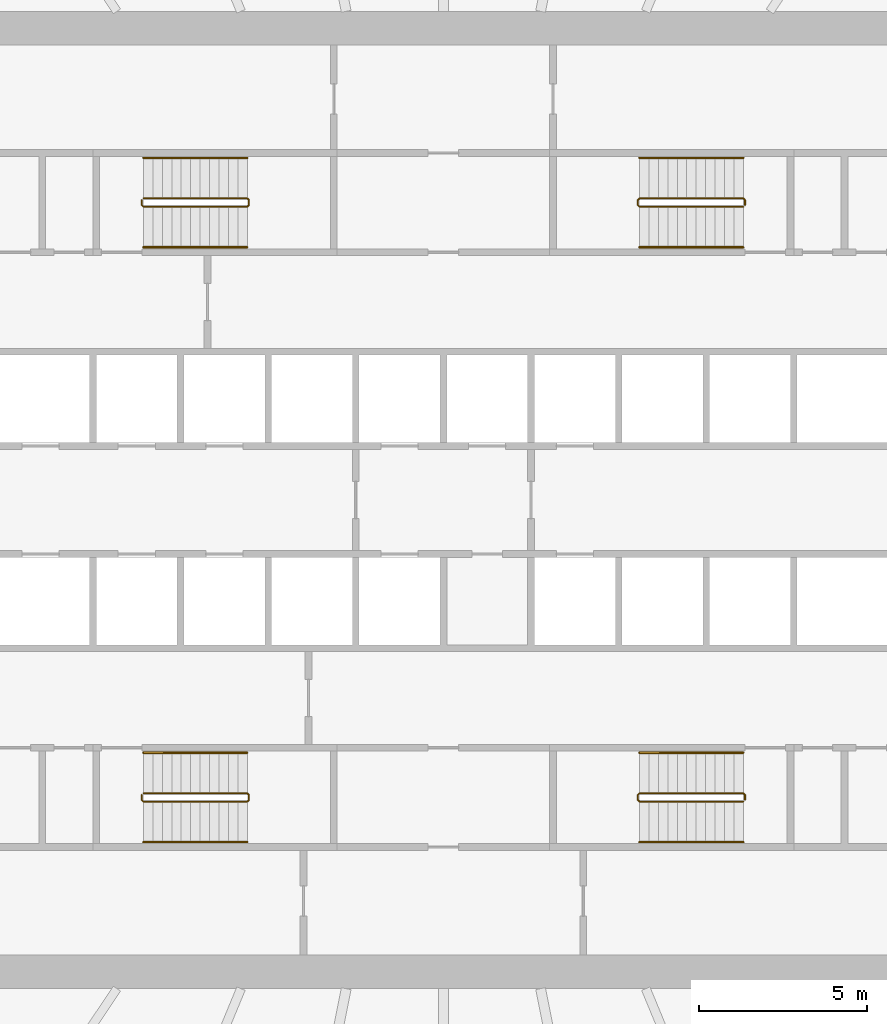
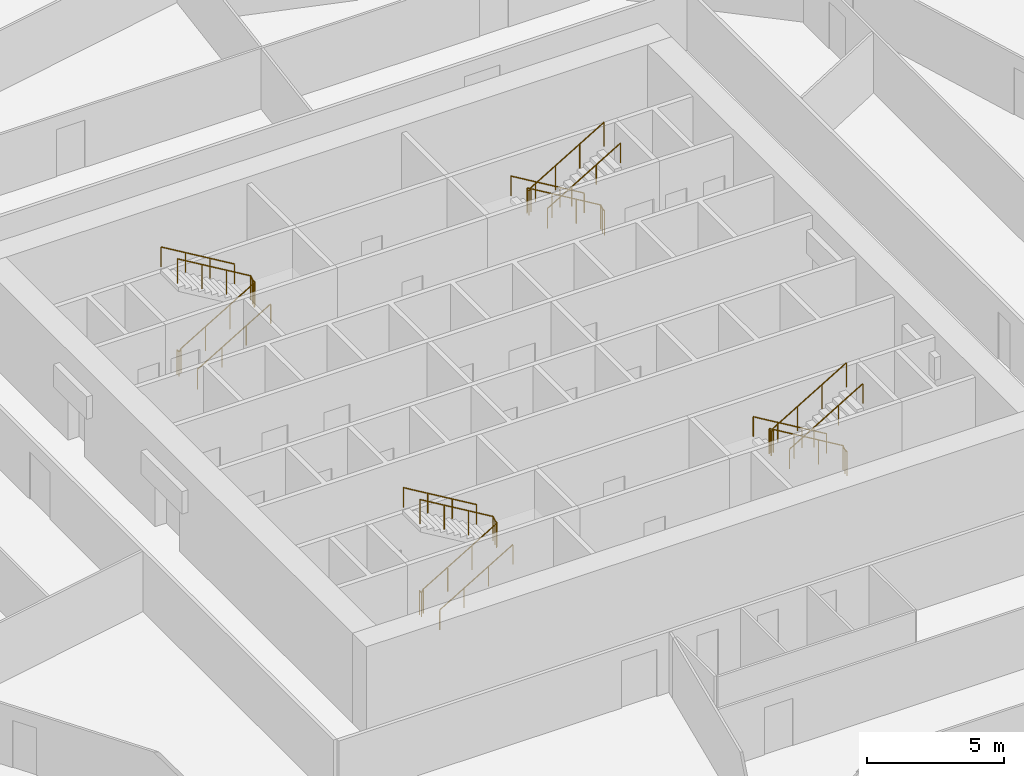
# One storey, part 8 of 8: 12 railings.
"""IFC4 building model written with IfcOpenShell, lengths in metres."""

import ifcopenshell
import ifcopenshell.guid

model = None  # the IFC model being written
_history = None  # IfcOwnerHistory: only IFC2X3 demands one
_inside = {}  # id of a spatial element -> (the spatial element, [elements in it])
_under = {}  # id of a project, library or spatial element -> (it, [spatial elements below it])
_declared = {}  # id of a project -> (the project, [libraries it declares])
_typed = {}  # id of a type object -> (the type object, [elements of that type])
_made_of = {}  # id of a material, layer set ... -> (it, [elements and type objects made of it])


def new_model(schema):
    """Start an empty IFC model of exactly this schema.

    Asked for "IFC4X3", IfcOpenShell would pick the latest addendum, in which some entities
    have other attributes; the version numbers below select the first issue.
    IFC2X3 requires an IfcOwnerHistory on every rooted entity: one is made here for all.
    """
    global model, _history
    if schema == "IFC4X3":
        model = ifcopenshell.file(schema_version=(4, 3, 0, 0))
    else:
        model = ifcopenshell.file(schema=schema)
    _inside.clear()
    _under.clear()
    _declared.clear()
    _typed.clear()
    _made_of.clear()
    _history = None
    if model.schema == "IFC2X3":
        org = make("IfcOrganization", Name="unknown")
        user = make(
            "IfcPersonAndOrganization",
            ThePerson=make("IfcPerson", FamilyName="unknown"),
            TheOrganization=org,
        )
        app = make(
            "IfcApplication",
            ApplicationDeveloper=org,
            Version="unknown",
            ApplicationFullName="unknown",
            ApplicationIdentifier="unknown",
        )
        _history = make(
            "IfcOwnerHistory",
            OwningUser=user,
            OwningApplication=app,
            ChangeAction="ADDED",
            CreationDate=0,
        )
    return model


def make(cls, **values):
    """One entity of the class cls with the attributes given. An attribute that is None is left unset."""
    return model.create_entity(
        cls, **{name: value for name, value in values.items() if value is not None}
    )


def rooted(cls, **values):
    """An entity with a GlobalId (a new one), such as an element, a storey or a relation."""
    return make(cls, GlobalId=ifcopenshell.guid.new(), OwnerHistory=_history, **values)


def si_unit(unit_type, name, prefix=None):
    """IfcSIUnit, for example si_unit("LENGTHUNIT", "METRE", prefix="MILLI")."""
    return make("IfcSIUnit", UnitType=unit_type, Prefix=prefix, Name=name)


def assignment(units):
    """IfcUnitAssignment: the units of a project."""
    return None if units is None else make("IfcUnitAssignment", Units=units)


def point(xyz):
    """IfcCartesianPoint."""
    return None if xyz is None else make("IfcCartesianPoint", Coordinates=xyz)


def direction(xyz):
    """IfcDirection."""
    return None if xyz is None else make("IfcDirection", DirectionRatios=xyz)


def frame(location, z_axis=None, x_axis=None):
    """IfcAxis2Placement3D, a coordinate frame: its origin and axes. An axis left out is left unset."""
    return make(
        "IfcAxis2Placement3D",
        Location=point(location),
        Axis=direction(z_axis),
        RefDirection=direction(x_axis),
    )


def frame_2d(location, x_axis=None):
    """IfcAxis2Placement2D, a coordinate frame in the plane: its origin and x axis."""
    return make(
        "IfcAxis2Placement2D", Location=point(location), RefDirection=direction(x_axis)
    )


def origin():
    """The frame at (0, 0, 0) with its axes left unset."""
    return frame((0.0, 0.0, 0.0))


def origin_2d():
    """The frame at (0, 0) in the plane with its x axis left unset."""
    return frame_2d((0.0, 0.0))


def place(relative_to, where):
    """IfcLocalPlacement: puts the frame where relative to a parent placement (None: the world)."""
    return make(
        "IfcLocalPlacement", PlacementRelTo=relative_to, RelativePlacement=where
    )


def context(
    kind, dimensions, precision=None, world=None, true_north=None, identifier=None
):
    """IfcGeometricRepresentationContext, for example the 3D "Model" context."""
    return make(
        "IfcGeometricRepresentationContext",
        ContextIdentifier=identifier,
        ContextType=kind,
        CoordinateSpaceDimension=dimensions,
        Precision=precision,
        WorldCoordinateSystem=world,
        TrueNorth=true_north,
    )


def subcontext(parent, identifier, kind, view, scale=None):
    """IfcGeometricRepresentationSubContext, for example "Body" below "Model"."""
    return make(
        "IfcGeometricRepresentationSubContext",
        ContextIdentifier=identifier,
        ContextType=kind,
        ParentContext=parent,
        TargetScale=scale,
        TargetView=view,
    )


def project(units=None, contexts=None):
    """IfcProject with its units and contexts."""
    return rooted(
        "IfcProject",
        Name="project",
        RepresentationContexts=contexts,
        UnitsInContext=assignment(units),
    )


def spatial(cls, under=None, at=None, **own):
    """A site, building, storey or space (cls), placed at a placement, below another one or the project."""
    s = rooted(cls, ObjectPlacement=at, **own)
    if under is not None:
        _under.setdefault(under.id(), (under, []))[1].append(s)
    return s


def profile(cls, at=None, kind="AREA", **sizes):
    """A parametric profile (cls). Its sizes go by their IFC names, for example OverallWidth=200.0."""
    return make(cls, ProfileType=kind, Position=at, **sizes)


def circle(**sizes):
    """IfcCircleProfileDef."""
    return profile("IfcCircleProfileDef", **sizes)


def extrude(swept, where, along, depth):
    """IfcExtrudedAreaSolid: the profile swept, set in the frame where, extruded along a direction by depth."""
    return make(
        "IfcExtrudedAreaSolid",
        SweptArea=swept,
        Position=where,
        ExtrudedDirection=direction(along),
        Depth=depth,
    )


def shape(context_of_items, identifier, shape_type, items):
    """IfcShapeRepresentation: the items that make up one representation, for example the "Body"."""
    return make(
        "IfcShapeRepresentation",
        ContextOfItems=context_of_items,
        RepresentationIdentifier=identifier,
        RepresentationType=shape_type,
        Items=items,
    )


def material(Name=None, Category=None):
    """IfcMaterial."""
    return make("IfcMaterial", Name=Name, Category=Category)


def made_of(thing, what):
    """Note that an element or type object is made of a material, layer set ...; save() writes the relation."""
    if what is not None:
        _made_of.setdefault(what.id(), (what, []))[1].append(thing)
    return thing


def type_object(cls, material=None, **own):
    """A type object (cls), such as IfcWallType, which elements share."""
    return made_of(rooted(cls, **own), material)


def element(
    cls,
    number,
    at=None,
    inside=None,
    cuts=None,
    type_object=None,
    material=None,
    context=None,
    identifier="Body",
    shape_type=None,
    held_by="IfcProductDefinitionShape",
    body=None,
    shapes=None,
    **own,
):
    """One element of the class cls, such as IfcWall. Its Tag is "e" and its number.

    at: its placement. inside: the storey or other place that contains it. cuts: it is an
    opening in that element (IfcRelVoidsElement). A single representation is given by context,
    identifier, shape_type and body (its items); several are given by shapes. held_by: the class
    of the entity that holds the representations. save() writes the other relations.
    """
    e = rooted(cls, Tag="e%d" % number, ObjectPlacement=at, **own)
    if body is not None:
        shapes = [shape(context, identifier, shape_type, body)]
    if shapes is not None:
        e.Representation = make(held_by, Representations=shapes)
    if inside is not None:
        _inside.setdefault(inside.id(), (inside, []))[1].append(e)
    if cuts is not None:
        rooted(
            "IfcRelVoidsElement", RelatingBuildingElement=cuts, RelatedOpeningElement=e
        )
    if type_object is not None:
        _typed.setdefault(type_object.id(), (type_object, []))[1].append(e)
    return made_of(e, material)


def aggregate(whole, parts):
    """IfcRelAggregates: a whole, such as a stair, and the parts it consists of."""
    return rooted("IfcRelAggregates", RelatingObject=whole, RelatedObjects=parts)


def save(model, path):
    """Write the relations noted so far, then the file.

    IfcRelAggregates (storeys below a building ...), IfcRelContainedInSpatialStructure (elements
    in a storey), IfcRelDefinesByType, IfcRelAssociatesMaterial and IfcRelDeclares: one each for
    every whole, place, type object, material and project.
    """
    for whole, parts in _under.values():
        aggregate(whole, parts)
    for where, things in _inside.values():
        rooted(
            "IfcRelContainedInSpatialStructure",
            RelatedElements=things,
            RelatingStructure=where,
        )
    for kind, things in _typed.values():
        rooted("IfcRelDefinesByType", RelatedObjects=things, RelatingType=kind)
    for what, things in _made_of.values():
        rooted("IfcRelAssociatesMaterial", RelatedObjects=things, RelatingMaterial=what)
    for by, libraries in _declared.values():
        rooted("IfcRelDeclares", RelatingContext=by, RelatedDefinitions=libraries)
    model.write(path)


model = new_model("IFC4")

# Units and contexts
model_context = context("Model", 3, precision=1e-05, world=origin(), true_north=direction((0.0, 1.0)))
body_context = subcontext(model_context, "Body", "Model", "MODEL_VIEW")
ifc_project = project(units=[si_unit("LENGTHUNIT", "METRE"), si_unit("AREAUNIT", "SQUARE_METRE"), si_unit("VOLUMEUNIT", "CUBIC_METRE"), si_unit("PLANEANGLEUNIT", "RADIAN"), si_unit("MASSUNIT", "GRAM", prefix="KILO")], contexts=[model_context])

# Site, building, storey
site_placement = place(None, origin())
site = spatial("IfcSite", under=ifc_project, at=site_placement, CompositionType="ELEMENT")
building_placement = place(site_placement, origin())
building = spatial("IfcBuilding", under=site, at=building_placement, Name="Corvane Civic Tower", CompositionType="ELEMENT")
storey_placement = place(building_placement, frame((0.0, 0.0, 126.5)))
storey = spatial("IfcBuildingStorey", under=building, at=storey_placement, Name="L29", CompositionType="ELEMENT", Elevation=126.5)

# Railings
ifc_material_1 = material(Name="Steel ASTM A572 Gr 50", Category="steel")
railing_type_1 = type_object("IfcRailingType", Name="ST-GUARD-1100", PredefinedType="GUARDRAIL", material=ifc_material_1)
railing_1_placement = place(storey_placement, frame((8.949951171875, 8.75, 0.0)))
element("IfcRailing", 1, at=railing_1_placement, inside=storey, type_object=railing_type_1, Name="L29 ST1 stair guard 1", PredefinedType="GUARDRAIL", context=body_context, shape_type="SweptSolid", body=[
    extrude(circle(Radius=0.02392578125, at=origin_2d()), frame((0.0, 0.0, 1.076171875), z_axis=(0.0, 1.0, 0.0), x_axis=(-1.0, 0.0, 0.0)), (0.0, 0.0, 1.0), 0.14990234375),
    extrude(circle(Radius=0.02392578125, at=origin_2d()), frame((0.0, 0.14990234375, 1.076171875), z_axis=(-0.27628659633, 0.27628659633, 0.920506074601), x_axis=(-0.707106781187, -0.707106781187, 0.0)), (0.0, 0.0, 1.0), 0.18115234375),
    extrude(circle(Radius=0.02392578125, at=origin_2d()), frame((-0.050048828125, 0.199951171875, 1.24267578125), z_axis=(-0.859290745958, 0.0, 0.51148745235), x_axis=(0.0, -1.0, 0.0)), (0.0, 0.0, 1.0), 3.584228515625),
    extrude(circle(Radius=0.02392578125, at=origin_2d()), frame((-3.1298828125, 0.199951171875, 3.076171875), z_axis=(-0.707106781187, -0.707106781187, 0.0), x_axis=(0.707106781187, -0.707106781187, 0.0)), (0.0, 0.0, 1.0), 0.07080078125),
    extrude(circle(Radius=0.02392578125, at=origin_2d()), frame((-3.179931640625, 0.14990234375, 3.076171875), z_axis=(0.0, -1.0, 0.0), x_axis=(1.0, 0.0, 0.0)), (0.0, 0.0, 1.0), 0.14990234375),
    extrude(circle(Radius=0.02392578125, at=origin_2d()), frame((-3.179931640625, 0.0, 3.076171875), z_axis=(0.27628659633, -0.27628659633, 0.920506074601), x_axis=(0.707106781187, 0.707106781187, 0.0)), (0.0, 0.0, 1.0), 0.18115234375),
    extrude(circle(Radius=0.02392578125, at=origin_2d()), frame((-3.1298828125, -0.050048828125, 3.24267578125), z_axis=(0.859290745958, 0.0, 0.51148745235), x_axis=(0.0, 1.0, 0.0)), (0.0, 0.0, 1.0), 3.584228515625),
    extrude(circle(Radius=0.02099609375, at=origin_2d()), origin(), (0.0, 0.0, 1.0), 1.052001953125),
    extrude(circle(Radius=0.02099609375, at=origin_2d()), frame((0.0, 0.14990234375, 0.0)), (0.0, 0.0, 1.0), 1.052001953125),
    extrude(circle(Radius=0.02099609375, at=origin_2d()), frame((-0.050048828125, 0.199951171875, 0.166748046875)), (0.0, 0.0, 1.0), 1.052001953125),
    extrude(circle(Radius=0.02099609375, at=origin_2d()), frame((-1.07666015625, 0.199951171875, 0.77783203125)), (0.0, 0.0, 1.0), 1.052001953125),
    extrude(circle(Radius=0.02099609375, at=origin_2d()), frame((-2.103271484375, 0.199951171875, 1.388916015625)), (0.0, 0.0, 1.0), 1.052001953125),
    extrude(circle(Radius=0.02099609375, at=origin_2d()), frame((-3.1298828125, 0.199951171875, 2.0)), (0.0, 0.0, 1.0), 1.052001953125),
    extrude(circle(Radius=0.02099609375, at=origin_2d()), frame((-3.179931640625, 0.14990234375, 2.0)), (0.0, 0.0, 1.0), 1.052001953125),
    extrude(circle(Radius=0.02099609375, at=origin_2d()), frame((-3.179931640625, 0.0, 2.0)), (0.0, 0.0, 1.0), 1.052001953125),
    extrude(circle(Radius=0.02099609375, at=origin_2d()), frame((-3.1298828125, -0.050048828125, 2.166748046875)), (0.0, 0.0, 1.0), 1.052001953125),
    extrude(circle(Radius=0.02099609375, at=origin_2d()), frame((-2.103271484375, -0.050048828125, 2.77783203125)), (0.0, 0.0, 1.0), 1.052001953125),
    extrude(circle(Radius=0.02099609375, at=origin_2d()), frame((-1.07666015625, -0.050048828125, 3.388916015625)), (0.0, 0.0, 1.0), 1.052001953125),
    extrude(circle(Radius=0.02099609375, at=origin_2d()), frame((-0.050048828125, -0.050048828125, 4.0)), (0.0, 0.0, 1.0), 1.052001953125),
])
railing_2_placement = place(storey_placement, frame((8.949951171875, -8.89990234375, 0.0)))
element("IfcRailing", 2, at=railing_2_placement, inside=storey, type_object=railing_type_1, Name="L29 ST2 stair guard 1", PredefinedType="GUARDRAIL", context=body_context, shape_type="SweptSolid", body=[
    extrude(circle(Radius=0.02392578125, at=origin_2d()), frame((0.0, 0.0, 1.076171875), z_axis=(0.0, 1.0, 0.0), x_axis=(-1.0, 0.0, 0.0)), (0.0, 0.0, 1.0), 0.14990234375),
    extrude(circle(Radius=0.02392578125, at=origin_2d()), frame((0.0, 0.14990234375, 1.076171875), z_axis=(-0.27628659633, 0.27628659633, 0.920506074601), x_axis=(-0.707106781187, -0.707106781187, 0.0)), (0.0, 0.0, 1.0), 0.18115234375),
    extrude(circle(Radius=0.02392578125, at=origin_2d()), frame((-0.050048828125, 0.199951171875, 1.24267578125), z_axis=(-0.859290745958, 0.0, 0.51148745235), x_axis=(0.0, -1.0, 0.0)), (0.0, 0.0, 1.0), 3.584228515625),
    extrude(circle(Radius=0.02392578125, at=origin_2d()), frame((-3.1298828125, 0.199951171875, 3.076171875), z_axis=(-0.707106781187, -0.707106781187, 0.0), x_axis=(0.707106781187, -0.707106781187, 0.0)), (0.0, 0.0, 1.0), 0.07080078125),
    extrude(circle(Radius=0.02392578125, at=origin_2d()), frame((-3.179931640625, 0.14990234375, 3.076171875), z_axis=(0.0, -1.0, 0.0), x_axis=(1.0, 0.0, 0.0)), (0.0, 0.0, 1.0), 0.14990234375),
    extrude(circle(Radius=0.02392578125, at=origin_2d()), frame((-3.179931640625, 0.0, 3.076171875), z_axis=(0.27628659633, -0.27628659633, 0.920506074601), x_axis=(0.707106781187, 0.707106781187, 0.0)), (0.0, 0.0, 1.0), 0.18115234375),
    extrude(circle(Radius=0.02392578125, at=origin_2d()), frame((-3.1298828125, -0.050048828125, 3.24267578125), z_axis=(0.859290745958, 0.0, 0.51148745235), x_axis=(0.0, 1.0, 0.0)), (0.0, 0.0, 1.0), 3.584228515625),
    extrude(circle(Radius=0.02099609375, at=origin_2d()), origin(), (0.0, 0.0, 1.0), 1.052001953125),
    extrude(circle(Radius=0.02099609375, at=origin_2d()), frame((0.0, 0.14990234375, 0.0)), (0.0, 0.0, 1.0), 1.052001953125),
    extrude(circle(Radius=0.02099609375, at=origin_2d()), frame((-0.050048828125, 0.199951171875, 0.166748046875)), (0.0, 0.0, 1.0), 1.052001953125),
    extrude(circle(Radius=0.02099609375, at=origin_2d()), frame((-1.07666015625, 0.199951171875, 0.77783203125)), (0.0, 0.0, 1.0), 1.052001953125),
    extrude(circle(Radius=0.02099609375, at=origin_2d()), frame((-2.103271484375, 0.199951171875, 1.388916015625)), (0.0, 0.0, 1.0), 1.052001953125),
    extrude(circle(Radius=0.02099609375, at=origin_2d()), frame((-3.1298828125, 0.199951171875, 2.0)), (0.0, 0.0, 1.0), 1.052001953125),
    extrude(circle(Radius=0.02099609375, at=origin_2d()), frame((-3.179931640625, 0.14990234375, 2.0)), (0.0, 0.0, 1.0), 1.052001953125),
    extrude(circle(Radius=0.02099609375, at=origin_2d()), frame((-3.179931640625, 0.0, 2.0)), (0.0, 0.0, 1.0), 1.052001953125),
    extrude(circle(Radius=0.02099609375, at=origin_2d()), frame((-3.1298828125, -0.050048828125, 2.166748046875)), (0.0, 0.0, 1.0), 1.052001953125),
    extrude(circle(Radius=0.02099609375, at=origin_2d()), frame((-2.103271484375, -0.050048828125, 2.77783203125)), (0.0, 0.0, 1.0), 1.052001953125),
    extrude(circle(Radius=0.02099609375, at=origin_2d()), frame((-1.07666015625, -0.050048828125, 3.388916015625)), (0.0, 0.0, 1.0), 1.052001953125),
    extrude(circle(Radius=0.02099609375, at=origin_2d()), frame((-0.050048828125, -0.050048828125, 4.0)), (0.0, 0.0, 1.0), 1.052001953125),
])
railing_3_placement = place(storey_placement, frame((-8.949951171875, -8.75, 0.0)))
element("IfcRailing", 3, at=railing_3_placement, inside=storey, type_object=railing_type_1, Name="L29 ST3 stair guard 1", PredefinedType="GUARDRAIL", context=body_context, shape_type="SweptSolid", body=[
    extrude(circle(Radius=0.02392578125, at=origin_2d()), frame((0.0, 0.0, 1.076171875), z_axis=(0.0, -1.0, 0.0), x_axis=(1.0, 0.0, 0.0)), (0.0, 0.0, 1.0), 0.14990234375),
    extrude(circle(Radius=0.02392578125, at=origin_2d()), frame((0.0, -0.14990234375, 1.076171875), z_axis=(0.27628659633, -0.27628659633, 0.920506074601), x_axis=(0.707106781187, 0.707106781187, 0.0)), (0.0, 0.0, 1.0), 0.18115234375),
    extrude(circle(Radius=0.02392578125, at=origin_2d()), frame((0.050048828125, -0.199951171875, 1.24267578125), z_axis=(0.859290745958, 0.0, 0.51148745235), x_axis=(0.0, 1.0, 0.0)), (0.0, 0.0, 1.0), 3.584228515625),
    extrude(circle(Radius=0.02392578125, at=origin_2d()), frame((3.1298828125, -0.199951171875, 3.076171875), z_axis=(0.707106781187, 0.707106781187, 0.0), x_axis=(-0.707106781187, 0.707106781187, 0.0)), (0.0, 0.0, 1.0), 0.07080078125),
    extrude(circle(Radius=0.02392578125, at=origin_2d()), frame((3.179931640625, -0.14990234375, 3.076171875), z_axis=(0.0, 1.0, 0.0), x_axis=(-1.0, 0.0, 0.0)), (0.0, 0.0, 1.0), 0.14990234375),
    extrude(circle(Radius=0.02392578125, at=origin_2d()), frame((3.179931640625, 0.0, 3.076171875), z_axis=(-0.27628659633, 0.27628659633, 0.920506074601), x_axis=(-0.707106781187, -0.707106781187, 0.0)), (0.0, 0.0, 1.0), 0.18115234375),
    extrude(circle(Radius=0.02392578125, at=origin_2d()), frame((3.1298828125, 0.050048828125, 3.24267578125), z_axis=(-0.859290745958, 0.0, 0.51148745235), x_axis=(0.0, -1.0, 0.0)), (0.0, 0.0, 1.0), 3.584228515625),
    extrude(circle(Radius=0.02099609375, at=origin_2d()), origin(), (0.0, 0.0, 1.0), 1.052001953125),
    extrude(circle(Radius=0.02099609375, at=origin_2d()), frame((0.0, -0.14990234375, 0.0)), (0.0, 0.0, 1.0), 1.052001953125),
    extrude(circle(Radius=0.02099609375, at=origin_2d()), frame((0.050048828125, -0.199951171875, 0.166748046875)), (0.0, 0.0, 1.0), 1.052001953125),
    extrude(circle(Radius=0.02099609375, at=origin_2d()), frame((1.07666015625, -0.199951171875, 0.77783203125)), (0.0, 0.0, 1.0), 1.052001953125),
    extrude(circle(Radius=0.02099609375, at=origin_2d()), frame((2.103271484375, -0.199951171875, 1.388916015625)), (0.0, 0.0, 1.0), 1.052001953125),
    extrude(circle(Radius=0.02099609375, at=origin_2d()), frame((3.1298828125, -0.199951171875, 2.0)), (0.0, 0.0, 1.0), 1.052001953125),
    extrude(circle(Radius=0.02099609375, at=origin_2d()), frame((3.179931640625, -0.14990234375, 2.0)), (0.0, 0.0, 1.0), 1.052001953125),
    extrude(circle(Radius=0.02099609375, at=origin_2d()), frame((3.179931640625, 0.0, 2.0)), (0.0, 0.0, 1.0), 1.052001953125),
    extrude(circle(Radius=0.02099609375, at=origin_2d()), frame((3.1298828125, 0.050048828125, 2.166748046875)), (0.0, 0.0, 1.0), 1.052001953125),
    extrude(circle(Radius=0.02099609375, at=origin_2d()), frame((2.103271484375, 0.050048828125, 2.77783203125)), (0.0, 0.0, 1.0), 1.052001953125),
    extrude(circle(Radius=0.02099609375, at=origin_2d()), frame((1.07666015625, 0.050048828125, 3.388916015625)), (0.0, 0.0, 1.0), 1.052001953125),
    extrude(circle(Radius=0.02099609375, at=origin_2d()), frame((0.050048828125, 0.050048828125, 4.0)), (0.0, 0.0, 1.0), 1.052001953125),
])
railing_4_placement = place(storey_placement, frame((-8.949951171875, 8.89990234375, 0.0)))
element("IfcRailing", 4, at=railing_4_placement, inside=storey, type_object=railing_type_1, Name="L29 ST4 stair guard 1", PredefinedType="GUARDRAIL", context=body_context, shape_type="SweptSolid", body=[
    extrude(circle(Radius=0.02392578125, at=origin_2d()), frame((0.0, 0.0, 1.076171875), z_axis=(0.0, -1.0, 0.0), x_axis=(1.0, 0.0, 0.0)), (0.0, 0.0, 1.0), 0.14990234375),
    extrude(circle(Radius=0.02392578125, at=origin_2d()), frame((0.0, -0.14990234375, 1.076171875), z_axis=(0.27628659633, -0.27628659633, 0.920506074601), x_axis=(0.707106781187, 0.707106781187, 0.0)), (0.0, 0.0, 1.0), 0.18115234375),
    extrude(circle(Radius=0.02392578125, at=origin_2d()), frame((0.050048828125, -0.199951171875, 1.24267578125), z_axis=(0.859290745958, 0.0, 0.51148745235), x_axis=(0.0, 1.0, 0.0)), (0.0, 0.0, 1.0), 3.584228515625),
    extrude(circle(Radius=0.02392578125, at=origin_2d()), frame((3.1298828125, -0.199951171875, 3.076171875), z_axis=(0.707106781187, 0.707106781187, 0.0), x_axis=(-0.707106781187, 0.707106781187, 0.0)), (0.0, 0.0, 1.0), 0.07080078125),
    extrude(circle(Radius=0.02392578125, at=origin_2d()), frame((3.179931640625, -0.14990234375, 3.076171875), z_axis=(0.0, 1.0, 0.0), x_axis=(-1.0, 0.0, 0.0)), (0.0, 0.0, 1.0), 0.14990234375),
    extrude(circle(Radius=0.02392578125, at=origin_2d()), frame((3.179931640625, 0.0, 3.076171875), z_axis=(-0.27628659633, 0.27628659633, 0.920506074601), x_axis=(-0.707106781187, -0.707106781187, 0.0)), (0.0, 0.0, 1.0), 0.18115234375),
    extrude(circle(Radius=0.02392578125, at=origin_2d()), frame((3.1298828125, 0.050048828125, 3.24267578125), z_axis=(-0.859290745958, 0.0, 0.51148745235), x_axis=(0.0, -1.0, 0.0)), (0.0, 0.0, 1.0), 3.584228515625),
    extrude(circle(Radius=0.02099609375, at=origin_2d()), origin(), (0.0, 0.0, 1.0), 1.052001953125),
    extrude(circle(Radius=0.02099609375, at=origin_2d()), frame((0.0, -0.14990234375, 0.0)), (0.0, 0.0, 1.0), 1.052001953125),
    extrude(circle(Radius=0.02099609375, at=origin_2d()), frame((0.050048828125, -0.199951171875, 0.166748046875)), (0.0, 0.0, 1.0), 1.052001953125),
    extrude(circle(Radius=0.02099609375, at=origin_2d()), frame((1.07666015625, -0.199951171875, 0.77783203125)), (0.0, 0.0, 1.0), 1.052001953125),
    extrude(circle(Radius=0.02099609375, at=origin_2d()), frame((2.103271484375, -0.199951171875, 1.388916015625)), (0.0, 0.0, 1.0), 1.052001953125),
    extrude(circle(Radius=0.02099609375, at=origin_2d()), frame((3.1298828125, -0.199951171875, 2.0)), (0.0, 0.0, 1.0), 1.052001953125),
    extrude(circle(Radius=0.02099609375, at=origin_2d()), frame((3.179931640625, -0.14990234375, 2.0)), (0.0, 0.0, 1.0), 1.052001953125),
    extrude(circle(Radius=0.02099609375, at=origin_2d()), frame((3.179931640625, 0.0, 2.0)), (0.0, 0.0, 1.0), 1.052001953125),
    extrude(circle(Radius=0.02099609375, at=origin_2d()), frame((3.1298828125, 0.050048828125, 2.166748046875)), (0.0, 0.0, 1.0), 1.052001953125),
    extrude(circle(Radius=0.02099609375, at=origin_2d()), frame((2.103271484375, 0.050048828125, 2.77783203125)), (0.0, 0.0, 1.0), 1.052001953125),
    extrude(circle(Radius=0.02099609375, at=origin_2d()), frame((1.07666015625, 0.050048828125, 3.388916015625)), (0.0, 0.0, 1.0), 1.052001953125),
    extrude(circle(Radius=0.02099609375, at=origin_2d()), frame((0.050048828125, 0.050048828125, 4.0)), (0.0, 0.0, 1.0), 1.052001953125),
])
ifc_material_2 = material(Name="Steel ASTM A572 Gr 50", Category="steel")
railing_type_2 = type_object("IfcRailingType", Name="ST-HANDRAIL-900", PredefinedType="HANDRAIL", material=ifc_material_2)
railing_5_placement = place(storey_placement, frame((8.89990234375, 10.14990234375, 0.166748046875)))
element("IfcRailing", 5, at=railing_5_placement, inside=storey, type_object=railing_type_2, Name="L29 ST1 stair handrail 1", PredefinedType="HANDRAIL", context=body_context, shape_type="SweptSolid", body=[
    extrude(circle(Radius=0.02392578125, at=origin_2d()), frame((0.0, 0.0, 0.8759765625), z_axis=(-0.859290745958, 0.0, 0.51148745235), x_axis=(0.0, -1.0, 0.0)), (0.0, 0.0, 1.0), 3.584228515625),
    extrude(circle(Radius=0.02099609375, at=origin_2d()), origin(), (0.0, 0.0, 1.0), 0.851806640625),
    extrude(circle(Radius=0.02099609375, at=origin_2d()), frame((-1.026611328125, 0.0, 0.611083984375)), (0.0, 0.0, 1.0), 0.851806640625),
    extrude(circle(Radius=0.02099609375, at=origin_2d()), frame((-2.05322265625, 0.0, 1.22216796875)), (0.0, 0.0, 1.0), 0.851806640625),
    extrude(circle(Radius=0.02099609375, at=origin_2d()), frame((-3.079833984375, 0.0, 1.833251953125)), (0.0, 0.0, 1.0), 0.851806640625),
])
railing_6_placement = place(storey_placement, frame((5.820068359375, 7.5, 2.166748046875)))
element("IfcRailing", 6, at=railing_6_placement, inside=storey, type_object=railing_type_2, Name="L29 ST1 stair handrail 2", PredefinedType="HANDRAIL", context=body_context, shape_type="SweptSolid", body=[
    extrude(circle(Radius=0.02392578125, at=origin_2d()), frame((0.0, 0.0, 0.8759765625), z_axis=(0.859290745958, 0.0, 0.51148745235), x_axis=(0.0, 1.0, 0.0)), (0.0, 0.0, 1.0), 3.584228515625),
    extrude(circle(Radius=0.02099609375, at=origin_2d()), origin(), (0.0, 0.0, 1.0), 0.851806640625),
    extrude(circle(Radius=0.02099609375, at=origin_2d()), frame((1.026611328125, 0.0, 0.611083984375)), (0.0, 0.0, 1.0), 0.851806640625),
    extrude(circle(Radius=0.02099609375, at=origin_2d()), frame((2.05322265625, 0.0, 1.22216796875)), (0.0, 0.0, 1.0), 0.851806640625),
    extrude(circle(Radius=0.02099609375, at=origin_2d()), frame((3.079833984375, 0.0, 1.833251953125)), (0.0, 0.0, 1.0), 0.851806640625),
])
railing_7_placement = place(storey_placement, frame((8.89990234375, -7.5, 0.166748046875)))
element("IfcRailing", 7, at=railing_7_placement, inside=storey, type_object=railing_type_2, Name="L29 ST2 stair handrail 1", PredefinedType="HANDRAIL", context=body_context, shape_type="SweptSolid", body=[
    extrude(circle(Radius=0.02392578125, at=origin_2d()), frame((0.0, 0.0, 0.8759765625), z_axis=(-0.859290745958, 0.0, 0.51148745235), x_axis=(0.0, -1.0, 0.0)), (0.0, 0.0, 1.0), 3.584228515625),
    extrude(circle(Radius=0.02099609375, at=origin_2d()), origin(), (0.0, 0.0, 1.0), 0.851806640625),
    extrude(circle(Radius=0.02099609375, at=origin_2d()), frame((-1.026611328125, 0.0, 0.611083984375)), (0.0, 0.0, 1.0), 0.851806640625),
    extrude(circle(Radius=0.02099609375, at=origin_2d()), frame((-2.05322265625, 0.0, 1.22216796875)), (0.0, 0.0, 1.0), 0.851806640625),
    extrude(circle(Radius=0.02099609375, at=origin_2d()), frame((-3.079833984375, 0.0, 1.833251953125)), (0.0, 0.0, 1.0), 0.851806640625),
])
for number, where, name in (
    (8, (5.820068359375, -10.14990234375, 2.166748046875), "L29 ST2 stair handrail 2"),
    (9, (-8.89990234375, -10.14990234375, 0.166748046875), "L29 ST3 stair handrail 1"),
):
    element("IfcRailing", number, at=place(storey_placement, frame(where)), inside=storey, type_object=railing_type_2, Name=name, PredefinedType="HANDRAIL", context=body_context, shape_type="SweptSolid", body=[
        extrude(circle(Radius=0.02392578125, at=origin_2d()), frame((0.0, 0.0, 0.8759765625), z_axis=(0.859290745958, 0.0, 0.51148745235), x_axis=(0.0, 1.0, 0.0)), (0.0, 0.0, 1.0), 3.584228515625),
        extrude(circle(Radius=0.02099609375, at=origin_2d()), origin(), (0.0, 0.0, 1.0), 0.851806640625),
        extrude(circle(Radius=0.02099609375, at=origin_2d()), frame((1.026611328125, 0.0, 0.611083984375)), (0.0, 0.0, 1.0), 0.851806640625),
        extrude(circle(Radius=0.02099609375, at=origin_2d()), frame((2.05322265625, 0.0, 1.22216796875)), (0.0, 0.0, 1.0), 0.851806640625),
        extrude(circle(Radius=0.02099609375, at=origin_2d()), frame((3.079833984375, 0.0, 1.833251953125)), (0.0, 0.0, 1.0), 0.851806640625),
    ])
railing_8_placement = place(storey_placement, frame((-5.820068359375, -7.5, 2.166748046875)))
element("IfcRailing", 10, at=railing_8_placement, inside=storey, type_object=railing_type_2, Name="L29 ST3 stair handrail 2", PredefinedType="HANDRAIL", context=body_context, shape_type="SweptSolid", body=[
    extrude(circle(Radius=0.02392578125, at=origin_2d()), frame((0.0, 0.0, 0.8759765625), z_axis=(-0.859290745958, 0.0, 0.51148745235), x_axis=(0.0, -1.0, 0.0)), (0.0, 0.0, 1.0), 3.584228515625),
    extrude(circle(Radius=0.02099609375, at=origin_2d()), origin(), (0.0, 0.0, 1.0), 0.851806640625),
    extrude(circle(Radius=0.02099609375, at=origin_2d()), frame((-1.026611328125, 0.0, 0.611083984375)), (0.0, 0.0, 1.0), 0.851806640625),
    extrude(circle(Radius=0.02099609375, at=origin_2d()), frame((-2.05322265625, 0.0, 1.22216796875)), (0.0, 0.0, 1.0), 0.851806640625),
    extrude(circle(Radius=0.02099609375, at=origin_2d()), frame((-3.079833984375, 0.0, 1.833251953125)), (0.0, 0.0, 1.0), 0.851806640625),
])
railing_9_placement = place(storey_placement, frame((-8.89990234375, 7.5, 0.166748046875)))
element("IfcRailing", 11, at=railing_9_placement, inside=storey, type_object=railing_type_2, Name="L29 ST4 stair handrail 1", PredefinedType="HANDRAIL", context=body_context, shape_type="SweptSolid", body=[
    extrude(circle(Radius=0.02392578125, at=origin_2d()), frame((0.0, 0.0, 0.8759765625), z_axis=(0.859290745958, 0.0, 0.51148745235), x_axis=(0.0, 1.0, 0.0)), (0.0, 0.0, 1.0), 3.584228515625),
    extrude(circle(Radius=0.02099609375, at=origin_2d()), origin(), (0.0, 0.0, 1.0), 0.851806640625),
    extrude(circle(Radius=0.02099609375, at=origin_2d()), frame((1.026611328125, 0.0, 0.611083984375)), (0.0, 0.0, 1.0), 0.851806640625),
    extrude(circle(Radius=0.02099609375, at=origin_2d()), frame((2.05322265625, 0.0, 1.22216796875)), (0.0, 0.0, 1.0), 0.851806640625),
    extrude(circle(Radius=0.02099609375, at=origin_2d()), frame((3.079833984375, 0.0, 1.833251953125)), (0.0, 0.0, 1.0), 0.851806640625),
])
railing_10_placement = place(storey_placement, frame((-5.820068359375, 10.14990234375, 2.166748046875)))
element("IfcRailing", 12, at=railing_10_placement, inside=storey, type_object=railing_type_2, Name="L29 ST4 stair handrail 2", PredefinedType="HANDRAIL", context=body_context, shape_type="SweptSolid", body=[
    extrude(circle(Radius=0.02392578125, at=origin_2d()), frame((0.0, 0.0, 0.8759765625), z_axis=(-0.859290745958, 0.0, 0.51148745235), x_axis=(0.0, -1.0, 0.0)), (0.0, 0.0, 1.0), 3.584228515625),
    extrude(circle(Radius=0.02099609375, at=origin_2d()), origin(), (0.0, 0.0, 1.0), 0.851806640625),
    extrude(circle(Radius=0.02099609375, at=origin_2d()), frame((-1.026611328125, 0.0, 0.611083984375)), (0.0, 0.0, 1.0), 0.851806640625),
    extrude(circle(Radius=0.02099609375, at=origin_2d()), frame((-2.05322265625, 0.0, 1.22216796875)), (0.0, 0.0, 1.0), 0.851806640625),
    extrude(circle(Radius=0.02099609375, at=origin_2d()), frame((-3.079833984375, 0.0, 1.833251953125)), (0.0, 0.0, 1.0), 0.851806640625),
])

save(model, "model.ifc")
